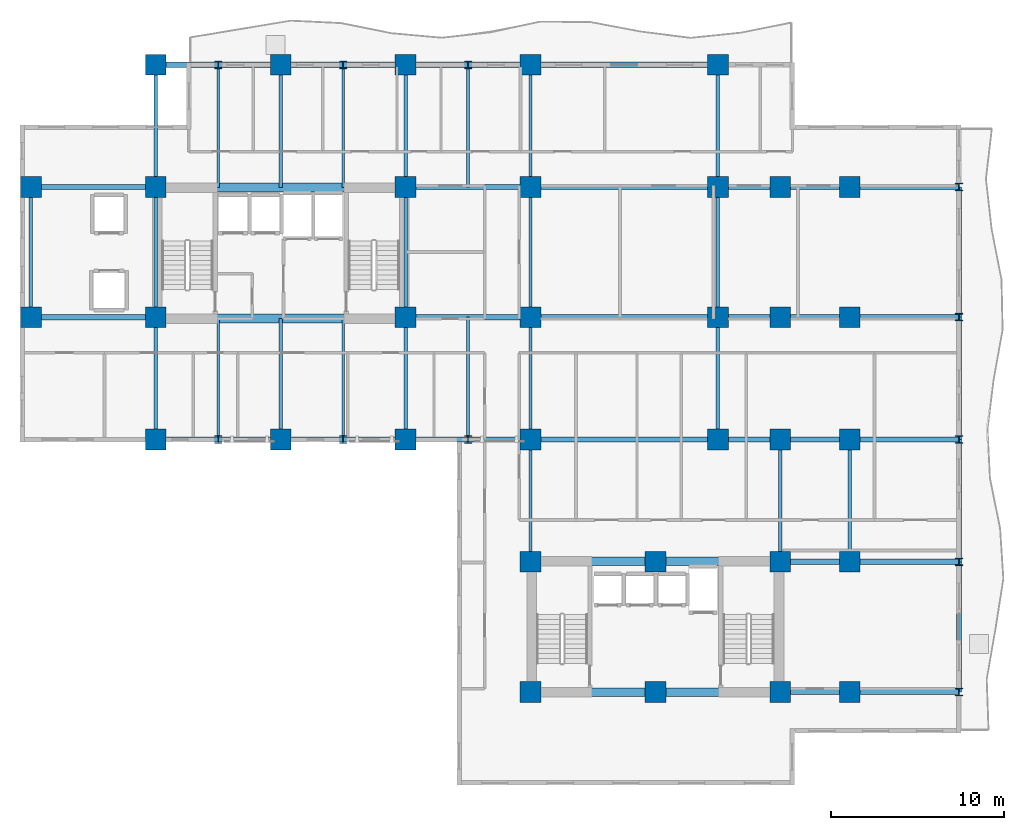
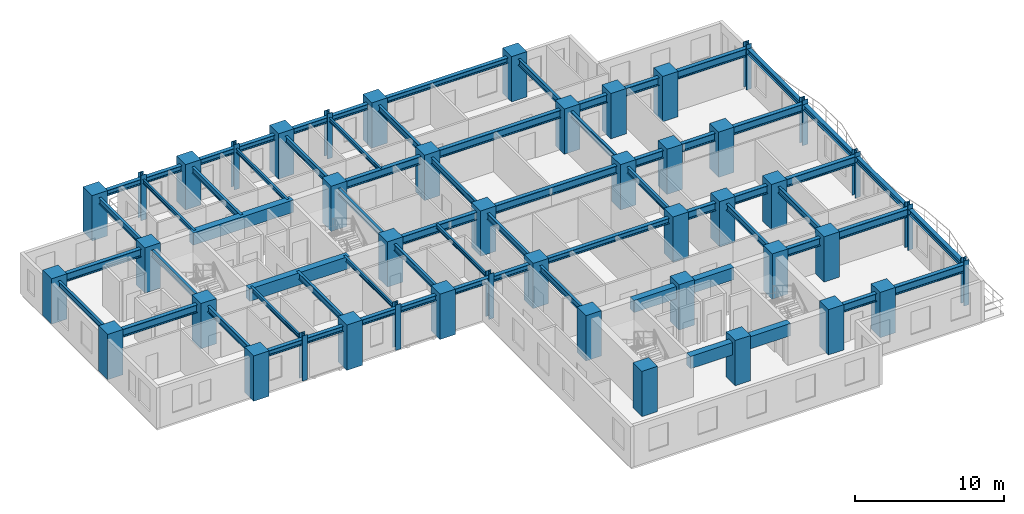
# One storey, part 1 of 11: 65 beams, 45 columns.
"""IFC4 building model written with IfcOpenShell, lengths in metres."""

from ifc_helpers import new_model, si_unit, direction, frame, origin, origin_2d, place, context, subcontext, project, spatial, rectangle, i_section, extrude, source, transform, mapped, material, material_profile, profile_set, type_object, element, save


model = new_model("IFC4")

# Units and contexts
model_context = context("Model", 3, precision=1e-05, world=origin(), true_north=direction((0.0, 1.0)))
body_context = subcontext(model_context, "Body", "Model", "MODEL_VIEW")
ifc_project = project(units=[si_unit("LENGTHUNIT", "METRE"), si_unit("AREAUNIT", "SQUARE_METRE"), si_unit("VOLUMEUNIT", "CUBIC_METRE"), si_unit("PLANEANGLEUNIT", "RADIAN"), si_unit("MASSUNIT", "GRAM", prefix="KILO")], contexts=[model_context])

# Site, building, storey
site_placement = place(None, origin())
site = spatial("IfcSite", under=ifc_project, at=site_placement, CompositionType="ELEMENT")
building_placement = place(site_placement, origin())
building = spatial("IfcBuilding", under=site, at=building_placement, Name="Kaliganga Portal Commons", CompositionType="ELEMENT")
storey_placement = place(building_placement, frame((0.0, 0.0, 126.699951171875)))
storey = spatial("IfcBuildingStorey", under=building, at=storey_placement, Name="L32", CompositionType="ELEMENT", Elevation=126.699951171875)

# Columns
ifc_material_1 = material(Name="Concrete C60/75", Category="concrete")
ifc_material_profile_1 = material_profile(ifc_material_1, rectangle(XDim=1.199951171875, YDim=1.199951171875, at=origin_2d()), Name="RC 1200x1200")
ifc_profile_set_1 = profile_set([ifc_material_profile_1], Name="Concrete C60/75")
column_type_1 = type_object("IfcColumnType", Name="COL-MEGA-Z2", PredefinedType="COLUMN", material=ifc_profile_set_1)
shared_shape_1 = source(origin(), body_context, "Body", "SweptSolid", [
    extrude(rectangle(XDim=1.199951171875, YDim=1.199951171875, at=origin_2d()), origin(), (0.0, 0.0, 1.0), 3.699951171875),
])
for number, where, z_axis, x_axis, name in (
    (1, (7.199951171875, 28.64990234375, 0.0), (0.0, 0.0, 1.0), (1.0, 0.0, 0.0), "Column MC-03 L32"),
    (2, (7.199951171875, 36.14990234375, 0.0), (0.0, 0.0, 1.0), (1.0, 0.0, 0.0), "Column MC-03 L32"),
    (3, (14.39990234375, 21.60009765625, 0.0), (0.0, 0.0, 1.0), (1.0, 0.0, 0.0), "Column MC-03 L32"),
    (4, (14.39990234375, 28.64990234375, 0.0), (0.0, 0.0, 1.0), (1.0, 0.0, 0.0), "Column MC-03 L32"),
    (5, (14.39990234375, 36.14990234375, 0.0), (0.0, 0.0, 1.0), (1.0, 0.0, 0.0), "Column MC-03 L32"),
    (6, (14.39990234375, 43.199951171875, 0.0), (0.0, 0.0, 1.0), (1.0, 0.0, 0.0), "Column MC-03 L32"),
    (7, (21.60009765625, 21.60009765625, 0.0), (0.0, 0.0, 1.0), (1.0, 0.0, 0.0), "Column MC-03 L32"),
    (8, (21.60009765625, 43.199951171875, 0.0), (0.0, 0.0, 1.0), (1.0, 0.0, 0.0), "Column MC-03 L32"),
    (9, (28.800048828125, 21.60009765625, 0.0), (0.0, 0.0, 1.0), (1.0, 0.0, 0.0), "Column MC-03 L32"),
    (10, (28.800048828125, 28.64990234375, 0.0), (0.0, 0.0, 1.0), (1.0, 0.0, 0.0), "Column MC-03 L32"),
    (11, (28.800048828125, 36.14990234375, 0.0), (0.0, 0.0, 1.0), (1.0, 0.0, 0.0), "Column MC-03 L32"),
    (12, (28.800048828125, 43.199951171875, 0.0), (0.0, 0.0, 1.0), (1.0, 0.0, 0.0), "Column MC-03 L32"),
    (13, (36.0, 21.60009765625, 0.0), (0.0, 0.0, 1.0), (1.0, 0.0, 0.0), "Column MC-03 L32"),
    (14, (36.0, 43.199951171875, 0.0), (0.0, 0.0, 1.0), (1.0, 0.0, 0.0), "Column MC-03 L32"),
    (15, (36.0, 28.64990234375, 0.0), (0.0, 0.0, 1.0), (1.0, 0.0, 0.0), "Column MC-03 L32"),
    (16, (36.0, 36.14990234375, 0.0), (0.0, 0.0, 1.0), (1.0, 0.0, 0.0), "Column MC-03 L32"),
    (17, (46.800048828125, 21.60009765625, 0.0), (0.0, 0.0, 1.0), (1.0, 0.0, 0.0), "Column MC-03 L32"),
    (18, (46.800048828125, 28.64990234375, 0.0), (0.0, 0.0, 1.0), (1.0, 0.0, 0.0), "Column MC-03 L32"),
    (19, (46.800048828125, 36.14990234375, 0.0), (0.0, 0.0, 1.0), (1.0, 0.0, 0.0), "Column MC-03 L32"),
    (20, (46.800048828125, 43.199951171875, 0.0), (0.0, 0.0, 1.0), (1.0, 0.0, 0.0), "Column MC-03 L32"),
    (21, (36.0, 7.050048828125, 0.0), (0.0, 0.0, 1.0), (1.0, 0.0, 0.0), "Column MC-03 L32"),
    (22, (36.0, 14.550048828125, 0.0), (0.0, 0.0, 1.0), (1.0, 0.0, 0.0), "Column MC-03 L32"),
    (23, (43.199951171875, 7.050048828125, 0.0), (0.0, 0.0, 1.0), (1.0, 0.0, 0.0), "Column MC-03 L32"),
    (24, (43.199951171875, 14.550048828125, 0.0), (0.0, 0.0, 1.0), (1.0, 0.0, 0.0), "Column MC-03 L32"),
    (25, (50.39990234375, 7.050048828125, 0.0), (0.0, 0.0, 1.0), (1.0, 0.0, 0.0), "Column MC-03 L32"),
    (26, (50.39990234375, 14.550048828125, 0.0), (0.0, 0.0, 1.0), (1.0, 0.0, 0.0), "Column MC-03 L32"),
    (27, (50.39990234375, 21.60009765625, 0.0), (0.0, 0.0, 1.0), (1.0, 0.0, 0.0), "Column MC-03 L32"),
    (28, (50.39990234375, 28.64990234375, 0.0), (0.0, 0.0, 1.0), (1.0, 0.0, 0.0), "Column MC-03 L32"),
    (29, (50.39990234375, 36.14990234375, 0.0), (0.0, 0.0, 1.0), (1.0, 0.0, 0.0), "Column MC-03 L32"),
    (30, (54.39990234375, 7.050048828125, 0.0), (0.0, 0.0, 1.0), (1.0, 0.0, 0.0), "Column MC-03 L32"),
    (31, (54.39990234375, 14.550048828125, 0.0), (0.0, 0.0, 1.0), (1.0, 0.0, 0.0), "Column MC-03 L32"),
    (32, (54.39990234375, 21.60009765625, 0.0), (0.0, 0.0, 1.0), (1.0, 0.0, 0.0), "Column MC-03 L32"),
    (33, (54.39990234375, 28.64990234375, 0.0), (0.0, 0.0, 1.0), (1.0, 0.0, 0.0), "Column MC-03 L32"),
    (34, (54.39990234375, 36.14990234375, 0.0), (0.0, 0.0, 1.0), (1.0, 0.0, 0.0), "Column MC-03 L32"),
):
    element("IfcColumn", number, at=place(storey_placement, frame(where, z_axis=z_axis, x_axis=x_axis)), inside=storey, type_object=column_type_1, Name=name, PredefinedType="COLUMN", context=body_context, shape_type="MappedRepresentation", body=[
        mapped(shared_shape_1, transform((0.0, 0.0, 0.0), x_axis=(1.0, 0.0, 0.0), y_axis=(0.0, 1.0, 0.0), z_axis=(0.0, 0.0, 1.0), scale=1.0)),
    ])
ifc_material_2 = material(Name="Structural steel S460M", Category="steel")
ifc_material_profile_2 = material_profile(ifc_material_2, i_section(OverallWidth=0.408935546875, OverallDepth=0.429931640625, WebThickness=0.0244140625, FlangeThickness=0.033447265625, FilletRadius=0.014892578125, at=origin_2d()), Name="HD 400x421")
ifc_profile_set_2 = profile_set([ifc_material_profile_2], Name="Structural steel S460M wide-flange")
column_type_2 = type_object("IfcColumnType", Name="COL-TUBE-B2", PredefinedType="COLUMN", material=ifc_profile_set_2)
shared_shape_2 = source(origin(), body_context, "Body", "SweptSolid", [
    extrude(i_section(OverallWidth=0.408935546875, OverallDepth=0.429931640625, WebThickness=0.0244140625, FlangeThickness=0.033447265625, FilletRadius=0.014892578125, at=origin_2d()), origin(), (0.0, 0.0, 1.0), 3.699951171875),
])
for number, where, z_axis, x_axis, name in (
    (35, (18.0, 21.60009765625, 0.0), (0.0, 0.0, 1.0), (1.0, 0.0, 0.0), "Column TC-02 L32"),
    (36, (18.0, 43.199951171875, 0.0), (0.0, 0.0, 1.0), (1.0, 0.0, 0.0), "Column TC-02 L32"),
    (37, (25.199951171875, 21.60009765625, 0.0), (0.0, 0.0, 1.0), (1.0, 0.0, 0.0), "Column TC-02 L32"),
    (38, (25.199951171875, 43.199951171875, 0.0), (0.0, 0.0, 1.0), (1.0, 0.0, 0.0), "Column TC-02 L32"),
    (39, (32.39990234375, 21.60009765625, 0.0), (0.0, 0.0, 1.0), (1.0, 0.0, 0.0), "Column TC-02 L32"),
    (40, (32.39990234375, 43.199951171875, 0.0), (0.0, 0.0, 1.0), (1.0, 0.0, 0.0), "Column TC-02 L32"),
    (41, (60.699951171875, 7.050048828125, 0.0), (0.0, 0.0, 1.0), (1.0, 0.0, 0.0), "Column TC-02 L32"),
    (42, (60.699951171875, 14.550048828125, 0.0), (0.0, 0.0, 1.0), (1.0, 0.0, 0.0), "Column TC-02 L32"),
    (43, (60.699951171875, 21.60009765625, 0.0), (0.0, 0.0, 1.0), (1.0, 0.0, 0.0), "Column TC-02 L32"),
    (44, (60.699951171875, 28.64990234375, 0.0), (0.0, 0.0, 1.0), (1.0, 0.0, 0.0), "Column TC-02 L32"),
    (45, (60.699951171875, 36.14990234375, 0.0), (0.0, 0.0, 1.0), (1.0, 0.0, 0.0), "Column TC-02 L32"),
):
    element("IfcColumn", number, at=place(storey_placement, frame(where, z_axis=z_axis, x_axis=x_axis)), inside=storey, type_object=column_type_2, Name=name, PredefinedType="COLUMN", context=body_context, shape_type="MappedRepresentation", body=[
        mapped(shared_shape_2, transform((0.0, 0.0, 0.0), x_axis=(1.0, 0.0, 0.0), y_axis=(0.0, 1.0, 0.0), z_axis=(0.0, 0.0, 1.0), scale=1.0)),
    ])

# Beams
ifc_material_3 = material(Name="Concrete C50/60", Category="concrete")
ifc_material_profile_3 = material_profile(ifc_material_3, rectangle(XDim=0.5, YDim=1.0, at=origin_2d()), Name="RC 500x1000")
ifc_profile_set_3 = profile_set([ifc_material_profile_3], Name="Concrete C50/60")
beam_type_1 = type_object("IfcBeamType", Name="BM-CPL-1000", PredefinedType="LINTEL", material=ifc_profile_set_3)
shared_shape_3 = source(origin(), body_context, "Body", "SweptSolid", [
    extrude(rectangle(XDim=0.5, YDim=1.0, at=origin_2d()), origin(), (0.0, 0.0, 1.0), 7.739990234375),
])
for number, where, z_axis, x_axis, name in (
    (46, (17.72998046875, 28.574951171875, 2.840087890625), (1.0, 0.0, 0.0), (0.0, 1.0, 0.0), "BM CPL COREA L32 S"),
    (47, (17.72998046875, 36.125, 2.840087890625), (1.0, 0.0, 0.0), (0.0, 1.0, 0.0), "BM CPL COREA L32 N"),
    (48, (39.330078125, 7.02490234375, 2.840087890625), (1.0, 0.0, 0.0), (0.0, 1.0, 0.0), "BM CPL COREB L32 S"),
    (49, (39.330078125, 14.574951171875, 2.840087890625), (1.0, 0.0, 0.0), (0.0, 1.0, 0.0), "BM CPL COREB L32 N"),
):
    element("IfcBeam", number, at=place(storey_placement, frame(where, z_axis=z_axis, x_axis=x_axis)), inside=storey, type_object=beam_type_1, Name=name, PredefinedType="LINTEL", context=body_context, shape_type="MappedRepresentation", body=[
        mapped(shared_shape_3, transform((0.0, 0.0, 0.0), x_axis=(1.0, 0.0, 0.0), y_axis=(0.0, 1.0, 0.0), z_axis=(0.0, 0.0, 1.0), scale=1.0)),
    ])
ifc_material_4 = material(Name="Structural steel S355J2", Category="steel")
ifc_material_profile_4 = material_profile(ifc_material_4, i_section(OverallWidth=0.300048828125, OverallDepth=0.64990234375, WebThickness=0.01611328125, FlangeThickness=0.031005859375, FilletRadius=0.027099609375, at=origin_2d()), Name="HE 650 B")
ifc_profile_set_4 = profile_set([ifc_material_profile_4], Name="Structural steel S355J2 wide-flange")
beam_type_2 = type_object("IfcBeamType", Name="BM-GIRD-650", PredefinedType="USERDEFINED", material=ifc_profile_set_4)
shared_shape_4 = source(origin(), body_context, "Body", "SweptSolid", [
    extrude(i_section(OverallWidth=0.300048828125, OverallDepth=0.64990234375, WebThickness=0.01611328125, FlangeThickness=0.031005859375, FilletRadius=0.027099609375, at=origin_2d()), origin(), (0.0, 0.0, 1.0), 3.599853515625),
])
for number, where, z_axis, x_axis, name in (
    (50, (46.800048828125, 21.60009765625, 3.01513671875), (1.0, 0.0, 0.0), (0.0, 1.0, 0.0), "BM G L32 BKE216 1"),
    (51, (46.800048828125, 28.64990234375, 3.01513671875), (1.0, 0.0, 0.0), (0.0, 1.0, 0.0), "BM G L32 BKE286 1"),
    (52, (46.800048828125, 36.14990234375, 3.01513671875), (1.0, 0.0, 0.0), (0.0, 1.0, 0.0), "BM G L32 BKE362 1"),
):
    element("IfcBeam", number, at=place(storey_placement, frame(where, z_axis=z_axis, x_axis=x_axis)), inside=storey, type_object=beam_type_2, Name=name, ObjectType="GIRDER", PredefinedType="USERDEFINED", context=body_context, shape_type="MappedRepresentation", body=[
        mapped(shared_shape_4, transform((0.0, 0.0, 0.0), x_axis=(1.0, 0.0, 0.0), y_axis=(0.0, 1.0, 0.0), z_axis=(0.0, 0.0, 1.0), scale=1.0)),
    ])
shared_shape_5 = source(origin(), body_context, "Body", "SweptSolid", [
    extrude(i_section(OverallWidth=0.300048828125, OverallDepth=0.64990234375, WebThickness=0.01611328125, FlangeThickness=0.031005859375, FilletRadius=0.027099609375, at=origin_2d()), origin(), (0.0, 0.0, 1.0), 7.199951171875),
])
for number, where, z_axis, x_axis, name in (
    (53, (7.199951171875, 28.64990234375, 3.01513671875), (1.0, 0.0, 0.0), (0.0, 1.0, 0.0), "BM G L32 WAH_S 1"),
    (54, (7.199951171875, 36.14990234375, 3.01513671875), (1.0, 0.0, 0.0), (0.0, 1.0, 0.0), "BM G L32 WAH_N 1"),
    (55, (28.800048828125, 28.64990234375, 3.01513671875), (1.0, 0.0, 0.0), (0.0, 1.0, 0.0), "BM G L32 WAE_S 1"),
    (56, (28.800048828125, 36.14990234375, 3.01513671875), (1.0, 0.0, 0.0), (0.0, 1.0, 0.0), "BM G L32 WAE_N 1"),
):
    element("IfcBeam", number, at=place(storey_placement, frame(where, z_axis=z_axis, x_axis=x_axis)), inside=storey, type_object=beam_type_2, Name=name, ObjectType="GIRDER", PredefinedType="USERDEFINED", context=body_context, shape_type="MappedRepresentation", body=[
        mapped(shared_shape_5, transform((0.0, 0.0, 0.0), x_axis=(1.0, 0.0, 0.0), y_axis=(0.0, 1.0, 0.0), z_axis=(0.0, 0.0, 1.0), scale=1.0)),
    ])
shared_shape_6 = source(origin(), body_context, "Body", "SweptSolid", [
    extrude(i_section(OverallWidth=0.300048828125, OverallDepth=0.64990234375, WebThickness=0.01611328125, FlangeThickness=0.031005859375, FilletRadius=0.027099609375, at=origin_2d()), origin(), (0.0, 0.0, 1.0), 10.800048828125),
])
for number, where, z_axis, x_axis, name in (
    (57, (36.0, 28.64990234375, 3.01513671875), (1.0, 0.0, 0.0), (0.0, 1.0, 0.0), "BM G L32 WAE_S 2"),
    (58, (36.0, 36.14990234375, 3.01513671875), (1.0, 0.0, 0.0), (0.0, 1.0, 0.0), "BM G L32 WAE_N 2"),
):
    element("IfcBeam", number, at=place(storey_placement, frame(where, z_axis=z_axis, x_axis=x_axis)), inside=storey, type_object=beam_type_2, Name=name, ObjectType="GIRDER", PredefinedType="USERDEFINED", context=body_context, shape_type="MappedRepresentation", body=[
        mapped(shared_shape_6, transform((0.0, 0.0, 0.0), x_axis=(1.0, 0.0, 0.0), y_axis=(0.0, 1.0, 0.0), z_axis=(0.0, 0.0, 1.0), scale=1.0)),
    ])
shared_shape_7 = source(origin(), body_context, "Body", "SweptSolid", [
    extrude(i_section(OverallWidth=0.300048828125, OverallDepth=0.64990234375, WebThickness=0.01611328125, FlangeThickness=0.031005859375, FilletRadius=0.027099609375, at=origin_2d()), origin(), (0.0, 0.0, 1.0), 4.0),
])
for number, where, z_axis, x_axis, name in (
    (59, (50.39990234375, 7.050048828125, 3.01513671875), (1.0, 0.0, 0.0), (0.0, 1.0, 0.0), "BM G L32 BKE70 1"),
    (60, (50.39990234375, 14.550048828125, 3.01513671875), (1.0, 0.0, 0.0), (0.0, 1.0, 0.0), "BM G L32 BKE146 1"),
    (61, (50.39990234375, 21.60009765625, 3.01513671875), (1.0, 0.0, 0.0), (0.0, 1.0, 0.0), "BM G L32 BKE216 2"),
    (62, (50.39990234375, 28.64990234375, 3.01513671875), (1.0, 0.0, 0.0), (0.0, 1.0, 0.0), "BM G L32 BKE286 2"),
    (63, (50.39990234375, 36.14990234375, 3.01513671875), (1.0, 0.0, 0.0), (0.0, 1.0, 0.0), "BM G L32 BKE362 2"),
):
    element("IfcBeam", number, at=place(storey_placement, frame(where, z_axis=z_axis, x_axis=x_axis)), inside=storey, type_object=beam_type_2, Name=name, ObjectType="GIRDER", PredefinedType="USERDEFINED", context=body_context, shape_type="MappedRepresentation", body=[
        mapped(shared_shape_7, transform((0.0, 0.0, 0.0), x_axis=(1.0, 0.0, 0.0), y_axis=(0.0, 1.0, 0.0), z_axis=(0.0, 0.0, 1.0), scale=1.0)),
    ])
ifc_material_profile_5 = material_profile(ifc_material_4, i_section(OverallWidth=0.199951171875, OverallDepth=0.5, WebThickness=0.01025390625, FlangeThickness=0.01611328125, FilletRadius=0.02099609375, at=origin_2d()), Name="IPE 500")
ifc_profile_set_5 = profile_set([ifc_material_profile_5], Name="Structural steel S355J2 wide-flange")
beam_type_3 = type_object("IfcBeamType", Name="BM-FLR-500", PredefinedType="BEAM", material=ifc_profile_set_5)
shared_shape_8 = source(origin(), body_context, "Body", "SweptSolid", [
    extrude(i_section(OverallWidth=0.199951171875, OverallDepth=0.5, WebThickness=0.01025390625, FlangeThickness=0.01611328125, FilletRadius=0.02099609375, at=origin_2d()), origin(), (0.0, 0.0, 1.0), 7.5),
])
for number, where, z_axis, x_axis, name in (
    (64, (7.199951171875, 28.64990234375, 3.090087890625), (0.0, 1.0, 0.0), (-1.0, 0.0, 0.0), "BM G L32 AW72"),
    (65, (14.39990234375, 28.64990234375, 3.090087890625), (0.0, 1.0, 0.0), (-1.0, 0.0, 0.0), "BM G L32 AM144"),
    (66, (28.800048828125, 28.64990234375, 3.090087890625), (0.0, 1.0, 0.0), (-1.0, 0.0, 0.0), "BM G L32 AM288"),
    (67, (36.0, 28.64990234375, 3.090087890625), (0.0, 1.0, 0.0), (-1.0, 0.0, 0.0), "BM G L32 AM360"),
    (68, (46.800048828125, 28.64990234375, 3.090087890625), (0.0, 1.0, 0.0), (-1.0, 0.0, 0.0), "BM G L32 AM468"),
):
    element("IfcBeam", number, at=place(storey_placement, frame(where, z_axis=z_axis, x_axis=x_axis)), inside=storey, type_object=beam_type_3, Name=name, PredefinedType="BEAM", context=body_context, shape_type="MappedRepresentation", body=[
        mapped(shared_shape_8, transform((0.0, 0.0, 0.0), x_axis=(1.0, 0.0, 0.0), y_axis=(0.0, 1.0, 0.0), z_axis=(0.0, 0.0, 1.0), scale=1.0)),
    ])
shared_shape_9 = source(origin(), body_context, "Body", "SweptSolid", [
    extrude(i_section(OverallWidth=0.199951171875, OverallDepth=0.5, WebThickness=0.01025390625, FlangeThickness=0.01611328125, FilletRadius=0.02099609375, at=origin_2d()), origin(), (0.0, 0.0, 1.0), 7.050048828125),
])
for number, where, z_axis, x_axis, name in (
    (69, (14.39990234375, 36.14990234375, 3.090087890625), (0.0, 1.0, 0.0), (-1.0, 0.0, 0.0), "BM G L32 AN144"),
    (70, (28.800048828125, 36.14990234375, 3.090087890625), (0.0, 1.0, 0.0), (-1.0, 0.0, 0.0), "BM G L32 AN288"),
    (71, (36.0, 36.14990234375, 3.090087890625), (0.0, 1.0, 0.0), (-1.0, 0.0, 0.0), "BM G L32 AN360"),
    (72, (46.800048828125, 36.14990234375, 3.090087890625), (0.0, 1.0, 0.0), (-1.0, 0.0, 0.0), "BM G L32 AN468"),
    (73, (36.0, 14.550048828125, 3.090087890625), (0.0, 1.0, 0.0), (-1.0, 0.0, 0.0), "BM G L32 BNK360"),
    (74, (50.39990234375, 14.550048828125, 3.090087890625), (0.0, 1.0, 0.0), (-1.0, 0.0, 0.0), "BM G L32 BNK504"),
    (75, (54.39990234375, 14.550048828125, 3.090087890625), (0.0, 1.0, 0.0), (-1.0, 0.0, 0.0), "BM G L32 BNK544"),
):
    element("IfcBeam", number, at=place(storey_placement, frame(where, z_axis=z_axis, x_axis=x_axis)), inside=storey, type_object=beam_type_3, Name=name, PredefinedType="BEAM", context=body_context, shape_type="MappedRepresentation", body=[
        mapped(shared_shape_9, transform((0.0, 0.0, 0.0), x_axis=(1.0, 0.0, 0.0), y_axis=(0.0, 1.0, 0.0), z_axis=(0.0, 0.0, 1.0), scale=1.0)),
    ])
shared_shape_10 = source(origin(), body_context, "Body", "SweptSolid", [
    extrude(i_section(OverallWidth=0.199951171875, OverallDepth=0.5, WebThickness=0.01025390625, FlangeThickness=0.01611328125, FilletRadius=0.02099609375, at=origin_2d()), origin(), (0.0, 0.0, 1.0), 7.0498046875),
])
for number, where, z_axis, x_axis, name in (
    (76, (14.39990234375, 21.60009765625, 3.090087890625), (0.0, 1.0, 0.0), (-1.0, 0.0, 0.0), "BM G L32 AS144"),
    (77, (28.800048828125, 21.60009765625, 3.090087890625), (0.0, 1.0, 0.0), (-1.0, 0.0, 0.0), "BM G L32 AS288"),
    (78, (36.0, 21.60009765625, 3.090087890625), (0.0, 1.0, 0.0), (-1.0, 0.0, 0.0), "BM G L32 AS360"),
    (79, (46.800048828125, 21.60009765625, 3.090087890625), (0.0, 1.0, 0.0), (-1.0, 0.0, 0.0), "BM G L32 AS468"),
):
    element("IfcBeam", number, at=place(storey_placement, frame(where, z_axis=z_axis, x_axis=x_axis)), inside=storey, type_object=beam_type_3, Name=name, PredefinedType="BEAM", context=body_context, shape_type="MappedRepresentation", body=[
        mapped(shared_shape_10, transform((0.0, 0.0, 0.0), x_axis=(1.0, 0.0, 0.0), y_axis=(0.0, 1.0, 0.0), z_axis=(0.0, 0.0, 1.0), scale=1.0)),
    ])
shared_shape_11 = source(origin(), body_context, "Body", "SweptSolid", [
    extrude(i_section(OverallWidth=0.199951171875, OverallDepth=0.5, WebThickness=0.01025390625, FlangeThickness=0.01611328125, FilletRadius=0.02099609375, at=origin_2d()), origin(), (0.0, 0.0, 1.0), 7.074951171875),
])
beam_1_placement = place(storey_placement, frame((21.60009765625, 36.125, 3.090087890625), z_axis=(0.0, 1.0, 0.0), x_axis=(-1.0, 0.0, 0.0)))
element("IfcBeam", 80, at=beam_1_placement, inside=storey, type_object=beam_type_3, Name="BM G L32 AN216", PredefinedType="BEAM", context=body_context, shape_type="MappedRepresentation", body=[
    mapped(shared_shape_11, transform((0.0, 0.0, 0.0), x_axis=(1.0, 0.0, 0.0), y_axis=(0.0, 1.0, 0.0), z_axis=(0.0, 0.0, 1.0), scale=1.0)),
])
shared_shape_12 = source(origin(), body_context, "Body", "SweptSolid", [
    extrude(i_section(OverallWidth=0.199951171875, OverallDepth=0.5, WebThickness=0.01025390625, FlangeThickness=0.01611328125, FilletRadius=0.02099609375, at=origin_2d()), origin(), (0.0, 0.0, 1.0), 6.974853515625),
])
beam_2_placement = place(storey_placement, frame((21.60009765625, 21.60009765625, 3.090087890625), z_axis=(0.0, 1.0, 0.0), x_axis=(-1.0, 0.0, 0.0)))
element("IfcBeam", 81, at=beam_2_placement, inside=storey, type_object=beam_type_3, Name="BM G L32 AS216", PredefinedType="BEAM", context=body_context, shape_type="MappedRepresentation", body=[
    mapped(shared_shape_12, transform((0.0, 0.0, 0.0), x_axis=(1.0, 0.0, 0.0), y_axis=(0.0, 1.0, 0.0), z_axis=(0.0, 0.0, 1.0), scale=1.0)),
])
shared_shape_13 = source(origin(), body_context, "Body", "SweptSolid", [
    extrude(i_section(OverallWidth=0.300048828125, OverallDepth=0.64990234375, WebThickness=0.01611328125, FlangeThickness=0.031005859375, FilletRadius=0.027099609375, at=origin_2d()), origin(), (0.0, 0.0, 1.0), 6.300048828125),
])
for number, where, z_axis, x_axis, name in (
    (82, (54.39990234375, 7.050048828125, 3.01513671875), (1.0, 0.0, 0.0), (0.0, 1.0, 0.0), "BM G L32 BKE70 2"),
    (83, (54.39990234375, 14.550048828125, 3.01513671875), (1.0, 0.0, 0.0), (0.0, 1.0, 0.0), "BM G L32 BKE146 2"),
    (84, (54.39990234375, 21.60009765625, 3.01513671875), (1.0, 0.0, 0.0), (0.0, 1.0, 0.0), "BM G L32 BKE216 3"),
    (85, (54.39990234375, 28.64990234375, 3.01513671875), (1.0, 0.0, 0.0), (0.0, 1.0, 0.0), "BM G L32 BKE286 3"),
    (86, (54.39990234375, 36.14990234375, 3.01513671875), (1.0, 0.0, 0.0), (0.0, 1.0, 0.0), "BM G L32 BKE362 3"),
):
    element("IfcBeam", number, at=place(storey_placement, frame(where, z_axis=z_axis, x_axis=x_axis)), inside=storey, type_object=beam_type_2, Name=name, ObjectType="GIRDER", PredefinedType="USERDEFINED", context=body_context, shape_type="MappedRepresentation", body=[
        mapped(shared_shape_13, transform((0.0, 0.0, 0.0), x_axis=(1.0, 0.0, 0.0), y_axis=(0.0, 1.0, 0.0), z_axis=(0.0, 0.0, 1.0), scale=1.0)),
    ])
ifc_material_profile_6 = material_profile(ifc_material_4, i_section(OverallWidth=0.300048828125, OverallDepth=0.449951171875, WebThickness=0.013916015625, FlangeThickness=0.02587890625, FilletRadius=0.027099609375, at=origin_2d()), Name="HE 450 B")
ifc_profile_set_6 = profile_set([ifc_material_profile_6], Name="Structural steel S355J2 wide-flange")
beam_type_4 = type_object("IfcBeamType", Name="BM-SPAND-450", PredefinedType="SPANDREL", material=ifc_profile_set_6)
shared_shape_14 = source(origin(), body_context, "Body", "SweptSolid", [
    extrude(i_section(OverallWidth=0.300048828125, OverallDepth=0.449951171875, WebThickness=0.013916015625, FlangeThickness=0.02587890625, FilletRadius=0.027099609375, at=origin_2d()), origin(), (0.0, 0.0, 1.0), 3.60009765625),
])
for number, where, z_axis, x_axis, name in (
    (87, (14.39990234375, 43.199951171875, 3.114990234375), (1.0, 0.0, 0.0), (0.0, 1.0, 0.0), "BM SP L32 AN 1"),
    (88, (18.0, 43.199951171875, 3.114990234375), (1.0, 0.0, 0.0), (0.0, 1.0, 0.0), "BM SP L32 AN 2"),
    (89, (25.199951171875, 43.199951171875, 3.114990234375), (1.0, 0.0, 0.0), (0.0, 1.0, 0.0), "BM SP L32 AN 4"),
    (90, (32.39990234375, 43.199951171875, 3.114990234375), (1.0, 0.0, 0.0), (0.0, 1.0, 0.0), "BM SP L32 AN 6"),
    (91, (14.39990234375, 21.60009765625, 3.114990234375), (1.0, 0.0, 0.0), (0.0, 1.0, 0.0), "BM SP L32 AS 1"),
    (92, (18.0, 21.60009765625, 3.114990234375), (1.0, 0.0, 0.0), (0.0, 1.0, 0.0), "BM SP L32 AS 2"),
    (93, (25.199951171875, 21.60009765625, 3.114990234375), (1.0, 0.0, 0.0), (0.0, 1.0, 0.0), "BM SP L32 AS 4"),
    (94, (32.39990234375, 21.60009765625, 3.114990234375), (1.0, 0.0, 0.0), (0.0, 1.0, 0.0), "BM SP L32 AS 6"),
):
    element("IfcBeam", number, at=place(storey_placement, frame(where, z_axis=z_axis, x_axis=x_axis)), inside=storey, type_object=beam_type_4, Name=name, PredefinedType="SPANDREL", context=body_context, shape_type="MappedRepresentation", body=[
        mapped(shared_shape_14, transform((0.0, 0.0, 0.0), x_axis=(1.0, 0.0, 0.0), y_axis=(0.0, 1.0, 0.0), z_axis=(0.0, 0.0, 1.0), scale=1.0)),
    ])
shared_shape_15 = source(origin(), body_context, "Body", "SweptSolid", [
    extrude(i_section(OverallWidth=0.300048828125, OverallDepth=0.449951171875, WebThickness=0.013916015625, FlangeThickness=0.02587890625, FilletRadius=0.027099609375, at=origin_2d()), origin(), (0.0, 0.0, 1.0), 3.599853515625),
])
for number, where, z_axis, x_axis, name in (
    (95, (21.60009765625, 43.199951171875, 3.114990234375), (1.0, 0.0, 0.0), (0.0, 1.0, 0.0), "BM SP L32 AN 3"),
    (96, (28.800048828125, 43.199951171875, 3.114990234375), (1.0, 0.0, 0.0), (0.0, 1.0, 0.0), "BM SP L32 AN 5"),
    (97, (21.60009765625, 21.60009765625, 3.114990234375), (1.0, 0.0, 0.0), (0.0, 1.0, 0.0), "BM SP L32 AS 3"),
    (98, (28.800048828125, 21.60009765625, 3.114990234375), (1.0, 0.0, 0.0), (0.0, 1.0, 0.0), "BM SP L32 AS 5"),
):
    element("IfcBeam", number, at=place(storey_placement, frame(where, z_axis=z_axis, x_axis=x_axis)), inside=storey, type_object=beam_type_4, Name=name, PredefinedType="SPANDREL", context=body_context, shape_type="MappedRepresentation", body=[
        mapped(shared_shape_15, transform((0.0, 0.0, 0.0), x_axis=(1.0, 0.0, 0.0), y_axis=(0.0, 1.0, 0.0), z_axis=(0.0, 0.0, 1.0), scale=1.0)),
    ])
shared_shape_16 = source(origin(), body_context, "Body", "SweptSolid", [
    extrude(i_section(OverallWidth=0.300048828125, OverallDepth=0.449951171875, WebThickness=0.013916015625, FlangeThickness=0.02587890625, FilletRadius=0.027099609375, at=origin_2d()), origin(), (0.0, 0.0, 1.0), 10.800048828125),
])
for number, where, z_axis, x_axis, name in (
    (99, (36.0, 43.199951171875, 3.114990234375), (1.0, 0.0, 0.0), (0.0, 1.0, 0.0), "BM SP L32 AN 7"),
    (100, (36.0, 21.60009765625, 3.114990234375), (1.0, 0.0, 0.0), (0.0, 1.0, 0.0), "BM SP L32 AS 7"),
):
    element("IfcBeam", number, at=place(storey_placement, frame(where, z_axis=z_axis, x_axis=x_axis)), inside=storey, type_object=beam_type_4, Name=name, PredefinedType="SPANDREL", context=body_context, shape_type="MappedRepresentation", body=[
        mapped(shared_shape_16, transform((0.0, 0.0, 0.0), x_axis=(1.0, 0.0, 0.0), y_axis=(0.0, 1.0, 0.0), z_axis=(0.0, 0.0, 1.0), scale=1.0)),
    ])
ifc_material_profile_7 = material_profile(ifc_material_4, i_section(OverallWidth=0.159912109375, OverallDepth=0.330078125, WebThickness=0.007568359375, FlangeThickness=0.011474609375, FilletRadius=0.01806640625, at=origin_2d()), Name="IPE 330")
ifc_profile_set_7 = profile_set([ifc_material_profile_7], Name="Structural steel S355J2 wide-flange")
beam_type_5 = type_object("IfcBeamType", Name="BM-JST-330", PredefinedType="JOIST", material=ifc_profile_set_7)
shared_shape_17 = source(origin(), body_context, "Body", "SweptSolid", [
    extrude(i_section(OverallWidth=0.159912109375, OverallDepth=0.330078125, WebThickness=0.007568359375, FlangeThickness=0.011474609375, FilletRadius=0.01806640625, at=origin_2d()), origin(), (0.0, 0.0, 1.0), 7.074951171875),
])
for number, where, z_axis, x_axis, name in (
    (101, (18.0, 36.125, 3.175048828125), (0.0, 1.0, 0.0), (-1.0, 0.0, 0.0), "BM G L32 AN180"),
    (102, (25.199951171875, 36.125, 3.175048828125), (0.0, 1.0, 0.0), (-1.0, 0.0, 0.0), "BM G L32 AN252"),
):
    element("IfcBeam", number, at=place(storey_placement, frame(where, z_axis=z_axis, x_axis=x_axis)), inside=storey, type_object=beam_type_5, Name=name, PredefinedType="JOIST", context=body_context, shape_type="MappedRepresentation", body=[
        mapped(shared_shape_17, transform((0.0, 0.0, 0.0), x_axis=(1.0, 0.0, 0.0), y_axis=(0.0, 1.0, 0.0), z_axis=(0.0, 0.0, 1.0), scale=1.0)),
    ])
shared_shape_18 = source(origin(), body_context, "Body", "SweptSolid", [
    extrude(i_section(OverallWidth=0.159912109375, OverallDepth=0.330078125, WebThickness=0.007568359375, FlangeThickness=0.011474609375, FilletRadius=0.01806640625, at=origin_2d()), origin(), (0.0, 0.0, 1.0), 6.974853515625),
])
for number, where, z_axis, x_axis, name in (
    (103, (18.0, 21.60009765625, 3.175048828125), (0.0, 1.0, 0.0), (-1.0, 0.0, 0.0), "BM G L32 AS180"),
    (104, (25.199951171875, 21.60009765625, 3.175048828125), (0.0, 1.0, 0.0), (-1.0, 0.0, 0.0), "BM G L32 AS252"),
):
    element("IfcBeam", number, at=place(storey_placement, frame(where, z_axis=z_axis, x_axis=x_axis)), inside=storey, type_object=beam_type_5, Name=name, PredefinedType="JOIST", context=body_context, shape_type="MappedRepresentation", body=[
        mapped(shared_shape_18, transform((0.0, 0.0, 0.0), x_axis=(1.0, 0.0, 0.0), y_axis=(0.0, 1.0, 0.0), z_axis=(0.0, 0.0, 1.0), scale=1.0)),
    ])
shared_shape_19 = source(origin(), body_context, "Body", "SweptSolid", [
    extrude(i_section(OverallWidth=0.159912109375, OverallDepth=0.330078125, WebThickness=0.007568359375, FlangeThickness=0.011474609375, FilletRadius=0.01806640625, at=origin_2d()), origin(), (0.0, 0.0, 1.0), 7.050048828125),
])
beam_3_placement = place(storey_placement, frame((32.39990234375, 36.14990234375, 3.175048828125), z_axis=(0.0, 1.0, 0.0), x_axis=(-1.0, 0.0, 0.0)))
element("IfcBeam", 105, at=beam_3_placement, inside=storey, type_object=beam_type_5, Name="BM G L32 AN324", PredefinedType="JOIST", context=body_context, shape_type="MappedRepresentation", body=[
    mapped(shared_shape_19, transform((0.0, 0.0, 0.0), x_axis=(1.0, 0.0, 0.0), y_axis=(0.0, 1.0, 0.0), z_axis=(0.0, 0.0, 1.0), scale=1.0)),
])
shared_shape_20 = source(origin(), body_context, "Body", "SweptSolid", [
    extrude(i_section(OverallWidth=0.159912109375, OverallDepth=0.330078125, WebThickness=0.007568359375, FlangeThickness=0.011474609375, FilletRadius=0.01806640625, at=origin_2d()), origin(), (0.0, 0.0, 1.0), 7.0498046875),
])
beam_4_placement = place(storey_placement, frame((32.39990234375, 21.60009765625, 3.175048828125), z_axis=(0.0, 1.0, 0.0), x_axis=(-1.0, 0.0, 0.0)))
element("IfcBeam", 106, at=beam_4_placement, inside=storey, type_object=beam_type_5, Name="BM G L32 AS324", PredefinedType="JOIST", context=body_context, shape_type="MappedRepresentation", body=[
    mapped(shared_shape_20, transform((0.0, 0.0, 0.0), x_axis=(1.0, 0.0, 0.0), y_axis=(0.0, 1.0, 0.0), z_axis=(0.0, 0.0, 1.0), scale=1.0)),
])
shared_shape_21 = source(origin(), body_context, "Body", "SweptSolid", [
    extrude(i_section(OverallWidth=0.300048828125, OverallDepth=0.449951171875, WebThickness=0.013916015625, FlangeThickness=0.02587890625, FilletRadius=0.027099609375, at=origin_2d()), origin(), (0.0, 0.0, 1.0), 7.5),
])
for number, where, z_axis, x_axis, name in (
    (107, (60.699951171875, 7.050048828125, 3.114990234375), (0.0, 1.0, 0.0), (-1.0, 0.0, 0.0), "BM SP L32 BE 1"),
    (108, (60.699951171875, 28.64990234375, 3.114990234375), (0.0, 1.0, 0.0), (-1.0, 0.0, 0.0), "BM SP L32 BE 4"),
):
    element("IfcBeam", number, at=place(storey_placement, frame(where, z_axis=z_axis, x_axis=x_axis)), inside=storey, type_object=beam_type_4, Name=name, PredefinedType="SPANDREL", context=body_context, shape_type="MappedRepresentation", body=[
        mapped(shared_shape_21, transform((0.0, 0.0, 0.0), x_axis=(1.0, 0.0, 0.0), y_axis=(0.0, 1.0, 0.0), z_axis=(0.0, 0.0, 1.0), scale=1.0)),
    ])
shared_shape_22 = source(origin(), body_context, "Body", "SweptSolid", [
    extrude(i_section(OverallWidth=0.300048828125, OverallDepth=0.449951171875, WebThickness=0.013916015625, FlangeThickness=0.02587890625, FilletRadius=0.027099609375, at=origin_2d()), origin(), (0.0, 0.0, 1.0), 7.050048828125),
])
beam_5_placement = place(storey_placement, frame((60.699951171875, 14.550048828125, 3.114990234375), z_axis=(0.0, 1.0, 0.0), x_axis=(-1.0, 0.0, 0.0)))
element("IfcBeam", 109, at=beam_5_placement, inside=storey, type_object=beam_type_4, Name="BM SP L32 BE 2", PredefinedType="SPANDREL", context=body_context, shape_type="MappedRepresentation", body=[
    mapped(shared_shape_22, transform((0.0, 0.0, 0.0), x_axis=(1.0, 0.0, 0.0), y_axis=(0.0, 1.0, 0.0), z_axis=(0.0, 0.0, 1.0), scale=1.0)),
])
shared_shape_23 = source(origin(), body_context, "Body", "SweptSolid", [
    extrude(i_section(OverallWidth=0.300048828125, OverallDepth=0.449951171875, WebThickness=0.013916015625, FlangeThickness=0.02587890625, FilletRadius=0.027099609375, at=origin_2d()), origin(), (0.0, 0.0, 1.0), 7.0498046875),
])
beam_6_placement = place(storey_placement, frame((60.699951171875, 21.60009765625, 3.114990234375), z_axis=(0.0, 1.0, 0.0), x_axis=(-1.0, 0.0, 0.0)))
element("IfcBeam", 110, at=beam_6_placement, inside=storey, type_object=beam_type_4, Name="BM SP L32 BE 3", PredefinedType="SPANDREL", context=body_context, shape_type="MappedRepresentation", body=[
    mapped(shared_shape_23, transform((0.0, 0.0, 0.0), x_axis=(1.0, 0.0, 0.0), y_axis=(0.0, 1.0, 0.0), z_axis=(0.0, 0.0, 1.0), scale=1.0)),
])

save(model, "model.ifc")
